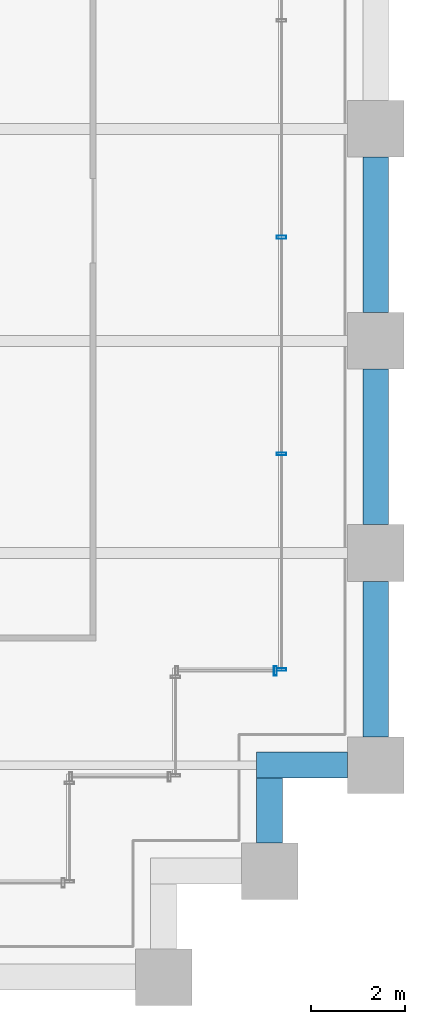
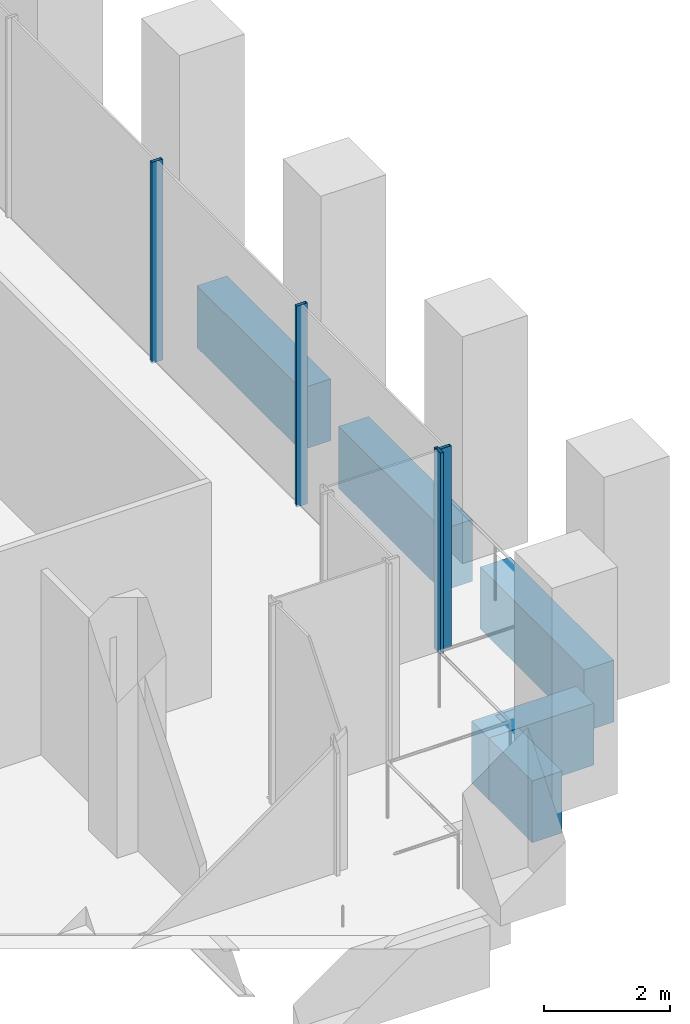
# One storey, part 26 of 36: 5 beams, 4 members, 2 elements without a shape of their own.
"""IFC4 building model written with IfcOpenShell, lengths in metres."""

from ifc_helpers import new_model, si_unit, direction, frame, origin, origin_2d, place, context, subcontext, project, spatial, rectangle, hollow_rectangle, extrude, material, material_profile, profile_set, type_object, element, aggregate, save


model = new_model("IFC4")

# Units and contexts
model_context = context("Model", 3, precision=1e-05, world=origin(), true_north=direction((0.0, 1.0)))
body_context = subcontext(model_context, "Body", "Model", "MODEL_VIEW")
ifc_project = project(units=[si_unit("LENGTHUNIT", "METRE"), si_unit("AREAUNIT", "SQUARE_METRE"), si_unit("VOLUMEUNIT", "CUBIC_METRE"), si_unit("PLANEANGLEUNIT", "RADIAN"), si_unit("MASSUNIT", "GRAM", prefix="KILO")], contexts=[model_context])

# Site, building, storey
site_placement = place(None, origin())
site = spatial("IfcSite", under=ifc_project, at=site_placement, CompositionType="ELEMENT")
building_placement = place(site_placement, origin())
building = spatial("IfcBuilding", under=site, at=building_placement, Name="Altepetl Exchange Towers", CompositionType="ELEMENT")
storey_placement = place(building_placement, frame((0.0, 0.0, 25.39990234375)))
storey = spatial("IfcBuildingStorey", under=building, at=storey_placement, Name="L05", CompositionType="ELEMENT", Elevation=25.39990234375)

# Curtain wall, member
ifc_material_1 = material(Name="Aluminium 6063-T6 glazing", Category="aluminium")
curtain_wall_type = type_object("IfcCurtainWallType", Name="Trading floor glazing system", PredefinedType="NOTDEFINED", material=ifc_material_1)
curtain_wall_1_placement = place(storey_placement, origin())
curtain_wall_1 = element("IfcCurtainWall", 1, at=curtain_wall_1_placement, inside=storey, type_object=curtain_wall_type, Name="CW2 run", PredefinedType="NOTDEFINED")
ifc_material_2 = material(Name="Aluminium 6063-T6", Category="aluminium")
ifc_material_profile_1 = material_profile(ifc_material_2, hollow_rectangle(XDim=0.06005859375, YDim=0.199951171875, WallThickness=0.0029296875, at=origin_2d()), Name="Mullion 60x200 aluminium")
ifc_profile_set_1 = profile_set([ifc_material_profile_1], Name="Aluminium 6063-T6")
member_type = type_object("IfcMemberType", Name="Mullion 60x200 aluminium", PredefinedType="MULLION", material=ifc_profile_set_1)
member_1_placement = place(storey_placement, frame((123.8701171875, 33.5, 0.0)))
member_1 = element("IfcMember", 2, at=member_1_placement, type_object=member_type, Name="MU2 mullion", PredefinedType="MULLION", context=body_context, shape_type="SweptSolid", body=[
    extrude(hollow_rectangle(XDim=0.06005859375, YDim=0.199951171875, WallThickness=0.0029296875, at=origin_2d()), origin(), (0.0, 0.0, 1.0), 3.900146484375),
])
aggregate(curtain_wall_1, [member_1])

# Curtain wall, members
curtain_wall_2_placement = place(storey_placement, origin())
curtain_wall_2 = element("IfcCurtainWall", 3, at=curtain_wall_2_placement, inside=storey, type_object=curtain_wall_type, Name="CW2 run", PredefinedType="NOTDEFINED")
member_2_placement = place(storey_placement, frame((124.0, 33.530029296875, 0.0), z_axis=(0.0, 0.0, 1.0), x_axis=(0.0, 1.0, 0.0)))
member_2 = element("IfcMember", 4, at=member_2_placement, type_object=member_type, Name="MU2 mullion", PredefinedType="MULLION", context=body_context, shape_type="SweptSolid", body=[
    extrude(hollow_rectangle(XDim=0.06005859375, YDim=0.199951171875, WallThickness=0.0029296875, at=origin_2d()), origin(), (0.0, 0.0, 1.0), 3.900146484375),
])
member_3_placement = place(storey_placement, frame((124.0, 38.10009765625, 0.0), z_axis=(0.0, 0.0, 1.0), x_axis=(0.0, 1.0, 0.0)))
member_3 = element("IfcMember", 5, at=member_3_placement, type_object=member_type, Name="MU2 mullion", PredefinedType="MULLION", context=body_context, shape_type="SweptSolid", body=[
    extrude(hollow_rectangle(XDim=0.06005859375, YDim=0.199951171875, WallThickness=0.0029296875, at=origin_2d()), origin(), (0.0, 0.0, 1.0), 3.900146484375),
])
member_4_placement = place(storey_placement, frame((124.0, 42.699951171875, 0.0), z_axis=(0.0, 0.0, 1.0), x_axis=(0.0, 1.0, 0.0)))
member_4 = element("IfcMember", 6, at=member_4_placement, type_object=member_type, Name="MU2 mullion", PredefinedType="MULLION", context=body_context, shape_type="SweptSolid", body=[
    extrude(hollow_rectangle(XDim=0.06005859375, YDim=0.199951171875, WallThickness=0.0029296875, at=origin_2d()), origin(), (0.0, 0.0, 1.0), 3.900146484375),
])
aggregate(curtain_wall_2, [member_2, member_3, member_4])

# Beams
ifc_material_3 = material(Name="Concrete C50/60 precast with cantera blanca facing", Category="concrete")
ifc_material_profile_2 = material_profile(ifc_material_3, rectangle(XDim=0.550048828125, YDim=1.199951171875, at=origin_2d()), Name="550 x 1200")
ifc_profile_set_2 = profile_set([ifc_material_profile_2], Name="Concrete C50/60 precast with cantera blanca facing")
beam_type = type_object("IfcBeamType", Name="Spandrel beam 550x1200 cantera blanca", PredefinedType="SPANDREL", material=ifc_profile_set_2)
beam_1_placement = place(storey_placement, frame((123.75, 29.85009765625, -0.77490234375), z_axis=(0.0, 1.0, 0.0), x_axis=(-1.0, 0.0, 0.0)))
element("IfcBeam", 7, at=beam_1_placement, inside=storey, type_object=beam_type, Name="sp:B:L05:007", PredefinedType="SPANDREL", context=body_context, shape_type="SweptSolid", body=[
    extrude(rectangle(XDim=0.550048828125, YDim=1.199951171875, at=origin_2d()), origin(), (0.0, 0.0, 1.0), 1.375),
])
beam_2_placement = place(storey_placement, frame((123.47509765625, 31.5, -0.77490234375), z_axis=(1.0, 0.0, 0.0), x_axis=(0.0, 1.0, 0.0)))
element("IfcBeam", 8, at=beam_2_placement, inside=storey, type_object=beam_type, Name="sp:B:L05:008", PredefinedType="SPANDREL", context=body_context, shape_type="SweptSolid", body=[
    extrude(rectangle(XDim=0.550048828125, YDim=1.199951171875, at=origin_2d()), origin(), (0.0, 0.0, 1.0), 1.9248046875),
])
for number, where, z_axis, x_axis, name in (
    (9, (126.0, 32.10009765625, -0.77490234375), (0.0, 1.0, 0.0), (-1.0, 0.0, 0.0), "sp:B:L05:009"),
    (10, (126.0, 36.60009765625, -0.77490234375), (0.0, 1.0, 0.0), (-1.0, 0.0, 0.0), "sp:B:L05:010"),
    (11, (126.0, 41.10009765625, -0.77490234375), (0.0, 1.0, 0.0), (-1.0, 0.0, 0.0), "sp:B:L05:011"),
):
    element("IfcBeam", number, at=place(storey_placement, frame(where, z_axis=z_axis, x_axis=x_axis)), inside=storey, type_object=beam_type, Name=name, PredefinedType="SPANDREL", context=body_context, shape_type="SweptSolid", body=[
        extrude(rectangle(XDim=0.550048828125, YDim=1.199951171875, at=origin_2d()), origin(), (0.0, 0.0, 1.0), 3.2998046875),
    ])

save(model, "model.ifc")
